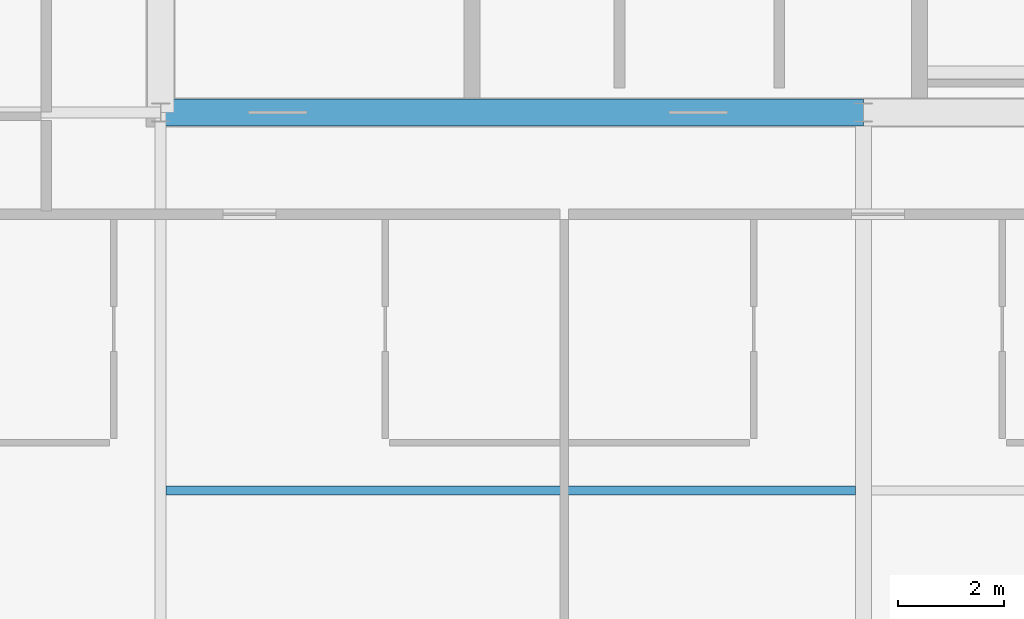
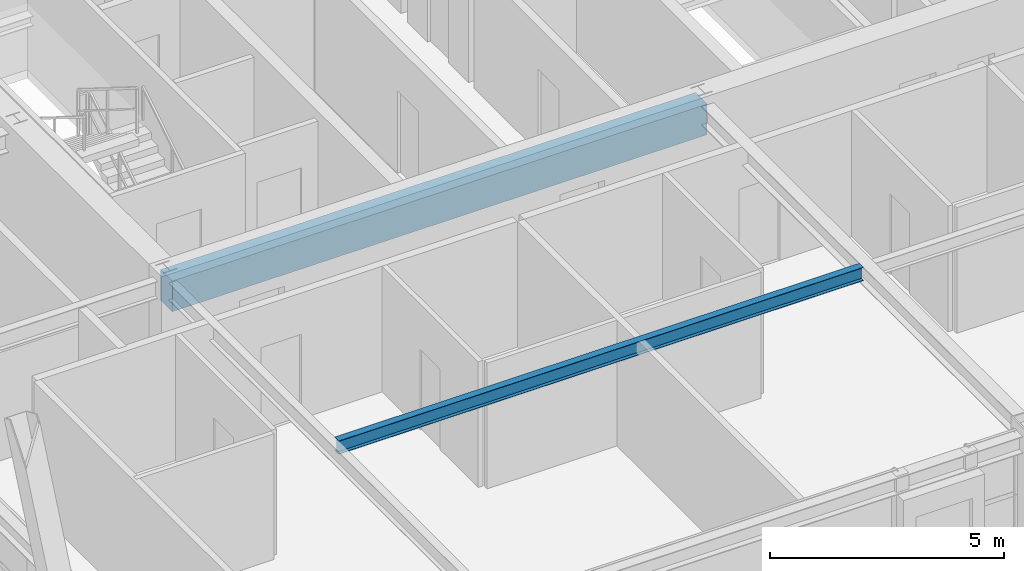
# One storey, part 9 of 35: 2 beams.
"""IFC4 building model written with IfcOpenShell, lengths in metres."""

from ifc_helpers import new_model, si_unit, direction, frame, origin, origin_2d, place, context, subcontext, project, spatial, rectangle, i_section, extrude, source, transform, mapped, material, material_profile, profile_set, type_object, element, save


model = new_model("IFC4")

# Units and contexts
model_context = context("Model", 3, precision=1e-05, world=origin(), true_north=direction((0.0, 1.0)))
body_context = subcontext(model_context, "Body", "Model", "MODEL_VIEW")
ifc_project = project(units=[si_unit("LENGTHUNIT", "METRE"), si_unit("AREAUNIT", "SQUARE_METRE"), si_unit("VOLUMEUNIT", "CUBIC_METRE"), si_unit("PLANEANGLEUNIT", "RADIAN"), si_unit("MASSUNIT", "GRAM", prefix="KILO"), si_unit("THERMODYNAMICTEMPERATUREUNIT", "KELVIN"), si_unit("POWERUNIT", "WATT")], contexts=[model_context])

# Site, building, storey
site_placement = place(None, origin())
site = spatial("IfcSite", under=ifc_project, at=site_placement, CompositionType="ELEMENT")
building_placement = place(site_placement, origin())
building = spatial("IfcBuilding", under=site, at=building_placement, Name="Yuzanri Waterfront Tower", CompositionType="ELEMENT")
storey_placement = place(building_placement, frame((0.0, 0.0, 271.60009765625)))
storey = spatial("IfcBuildingStorey", under=building, at=storey_placement, Name="L72", CompositionType="ELEMENT", Elevation=271.60009765625)

# Beams
ifc_material_1 = material(Name="Concrete C50", Category="concrete")
ifc_material_profile_1 = material_profile(ifc_material_1, rectangle(XDim=0.5, YDim=0.800048828125, at=origin_2d()), Name="RC 500x800")
ifc_profile_set_1 = profile_set([ifc_material_profile_1], Name="Concrete C50")
beam_type_1 = type_object("IfcBeamType", Name="Core Coupling Lintel Concrete C50 500x800", PredefinedType="LINTEL", material=ifc_profile_set_1)
shared_shape_1 = source(origin(), body_context, "Body", "SweptSolid", [
    extrude(rectangle(XDim=0.5, YDim=0.800048828125, at=origin_2d()), origin(), (0.0, 0.0, 1.0), 13.199951171875),
])
beam_1_placement = place(storey_placement, frame((23.800048828125, 19.39990234375, 2.8798828125), z_axis=(1.0, 0.0, 0.0), x_axis=(0.0, 1.0, 0.0)))
element("IfcBeam", 1, at=beam_1_placement, inside=storey, type_object=beam_type_1, Name="L72 Core Tie Beam CS1", PredefinedType="LINTEL", context=body_context, shape_type="MappedRepresentation", body=[
    mapped(shared_shape_1, transform((0.0, 0.0, 0.0), scale=1.0)),
])
ifc_material_2 = material(Name="Steel Q355B", Category="steel")
ifc_material_profile_2 = material_profile(ifc_material_2, i_section(OverallWidth=0.175048828125, OverallDepth=0.35009765625, WebThickness=0.007080078125, FlangeThickness=0.010986328125, at=origin_2d()), Name="HN 350x175x7x11")
ifc_profile_set_2 = profile_set([ifc_material_profile_2], Name="Steel Q355B")
beam_type_2 = type_object("IfcBeamType", Name="Floor Joist Q355B HN 350x175", PredefinedType="JOIST", material=ifc_profile_set_2)
shared_shape_2 = source(origin(), body_context, "Body", "SweptSolid", [
    extrude(i_section(OverallWidth=0.175048828125, OverallDepth=0.35009765625, WebThickness=0.007080078125, FlangeThickness=0.010986328125, at=origin_2d()), origin(), (0.0, 0.0, 1.0), 12.9501953125),
])
beam_2_placement = place(storey_placement, frame((23.89990234375, 12.300048828125, 3.10498046875), z_axis=(1.0, 0.0, 0.0), x_axis=(0.0, 1.0, 0.0)))
element("IfcBeam", 2, at=beam_2_placement, inside=storey, type_object=beam_type_2, Name="L72 South Bay Joist W", PredefinedType="JOIST", context=body_context, shape_type="MappedRepresentation", body=[
    mapped(shared_shape_2, transform((0.0, 0.0, 0.0), scale=1.0)),
])

save(model, "model.ifc")
